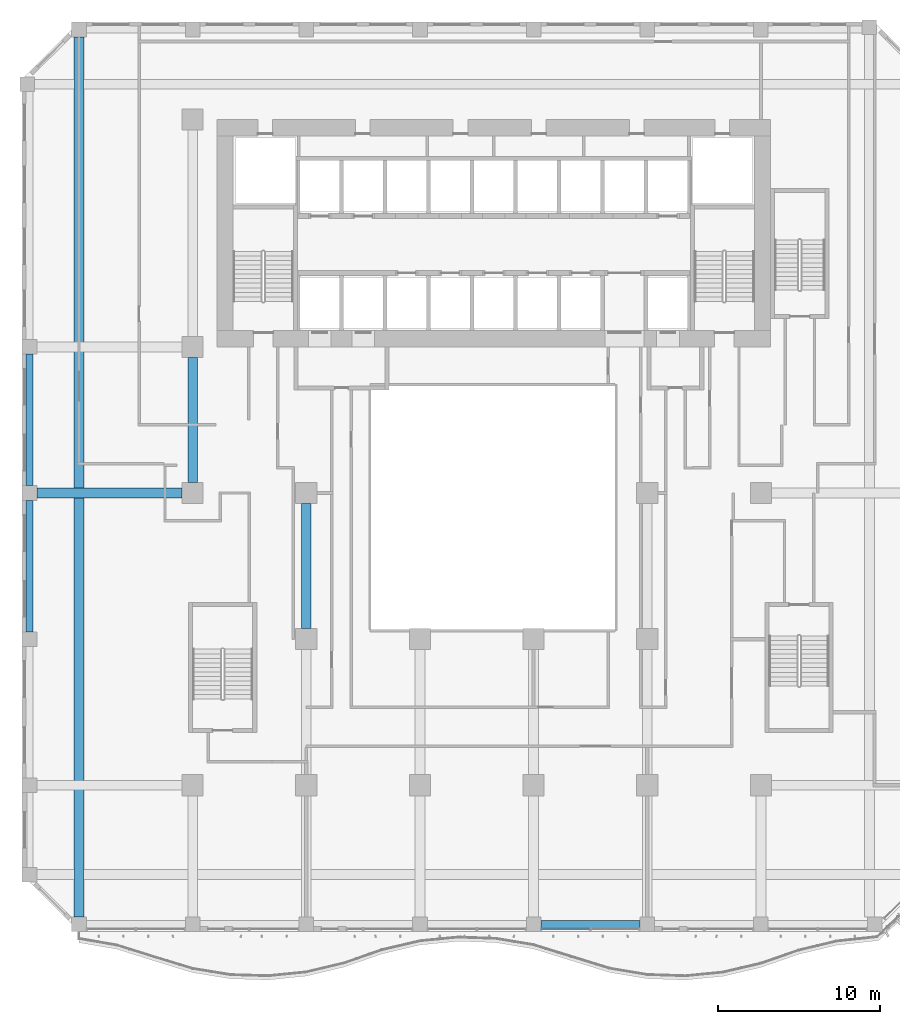
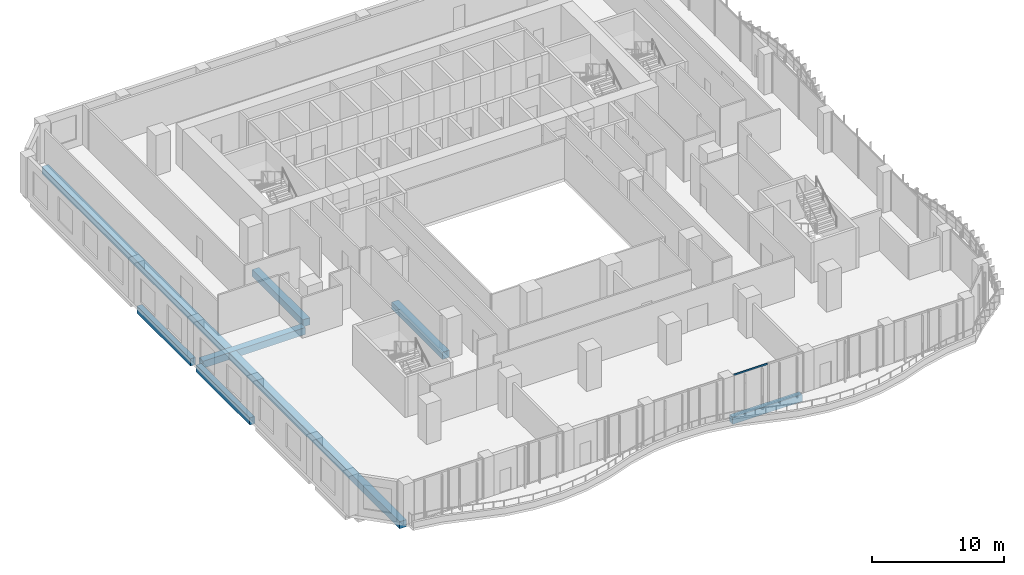
# One storey, part 5 of 27: 7 beams, 1 member, 1 element without a shape of its own.
"""IFC4 building model written with IfcOpenShell, lengths in metres."""

from ifc_helpers import new_model, si_unit, direction, frame, origin, origin_2d, place, context, subcontext, project, spatial, rectangle, extrude, source, transform, mapped, material, material_profile, profile_set, type_object, element, aggregate, save


model = new_model("IFC4")

# Units and contexts
model_context = context("Model", 3, precision=1e-05, world=origin(), true_north=direction((0.0, 1.0)))
body_context = subcontext(model_context, "Body", "Model", "MODEL_VIEW")
ifc_project = project(units=[si_unit("LENGTHUNIT", "METRE"), si_unit("AREAUNIT", "SQUARE_METRE"), si_unit("VOLUMEUNIT", "CUBIC_METRE"), si_unit("PLANEANGLEUNIT", "RADIAN"), si_unit("MASSUNIT", "GRAM", prefix="KILO")], contexts=[model_context])

# Site, building, storey
site_placement = place(None, origin())
site = spatial("IfcSite", under=ifc_project, at=site_placement, CompositionType="ELEMENT")
building_placement = place(site_placement, origin())
building = spatial("IfcBuilding", under=site, at=building_placement, Name="Kilnfold Tower and Market Hall", CompositionType="ELEMENT")
storey_placement = place(building_placement, frame((0.0, 0.0, 43.0)))
storey = spatial("IfcBuildingStorey", under=building, at=storey_placement, Name="L09", CompositionType="ELEMENT", Elevation=43.0)

# Beams
ifc_material_1 = material(Name="Concrete C45", Category="concrete")
ifc_material_profile_1 = material_profile(ifc_material_1, rectangle(XDim=0.449951171875, YDim=0.64990234375, at=origin_2d()), Name="RC 450x650")
ifc_profile_set_1 = profile_set([ifc_material_profile_1], Name="Concrete C45")
beam_type_1 = type_object("IfcBeamType", Name="EDGE BEAM 450X650 C45", PredefinedType="BEAM", material=ifc_profile_set_1)
shared_shape_1 = source(origin(), body_context, "Body", "SweptSolid", [
    extrude(rectangle(XDim=0.449951171875, YDim=0.64990234375, at=origin_2d()), origin(), (0.0, 0.0, 1.0), 6.10009765625),
])
beam_1_placement = place(storey_placement, frame((3.949951171875, -27.550048828125, -0.60498046875), z_axis=(1.0, 0.0, 0.0), x_axis=(0.0, 1.0, 0.0)))
element("IfcBeam", 1, at=beam_1_placement, inside=storey, type_object=beam_type_1, Name="Beam EB650-B1.4", PredefinedType="BEAM", context=body_context, shape_type="MappedRepresentation", body=[
    mapped(shared_shape_1, transform((0.0, 0.0, 0.0))),
])
ifc_material_2 = material(Name="Concrete C45", Category="concrete")
ifc_material_profile_2 = material_profile(ifc_material_2, rectangle(XDim=0.60009765625, YDim=0.64990234375, at=origin_2d()), Name="RC 600x650")
ifc_profile_set_2 = profile_set([ifc_material_profile_2], Name="Concrete C45")
beam_type_2 = type_object("IfcBeamType", Name="BEAM 600X650 C45", PredefinedType="BEAM", material=ifc_profile_set_2)
shared_shape_2 = source(origin(), body_context, "Body", "SweptSolid", [
    extrude(rectangle(XDim=0.60009765625, YDim=0.64990234375, at=origin_2d()), origin(), (0.0, 0.0, 1.0), 8.9501953125),
])
beam_2_placement = place(storey_placement, frame((-27.10009765625, -1.0, -0.60498046875), z_axis=(1.0, 0.0, 0.0), x_axis=(0.0, 1.0, 0.0)))
element("IfcBeam", 2, at=beam_2_placement, inside=storey, type_object=beam_type_2, Name="Beam BB650-B1.16", PredefinedType="BEAM", context=body_context, shape_type="MappedRepresentation", body=[
    mapped(shared_shape_2, transform((0.0, 0.0, 0.0))),
])
shared_shape_3 = source(origin(), body_context, "Body", "SweptSolid", [
    extrude(rectangle(XDim=0.449951171875, YDim=0.64990234375, at=origin_2d()), origin(), (0.0, 0.0, 1.0), 8.10009765625),
])
for number, where, z_axis, x_axis, name in (
    (3, (-27.550048828125, -9.550048828125, -0.60498046875), (0.0, 1.0, 0.0), (-1.0, 0.0, 0.0), "Beam EB650-B1.32"),
    (4, (-27.550048828125, -0.550048828125, -0.60498046875), (0.0, 1.0, 0.0), (-1.0, 0.0, 0.0), "Beam EB650-B1.33"),
):
    element("IfcBeam", number, at=place(storey_placement, frame(where, z_axis=z_axis, x_axis=x_axis)), inside=storey, type_object=beam_type_1, Name=name, PredefinedType="BEAM", context=body_context, shape_type="MappedRepresentation", body=[
        mapped(shared_shape_3, transform((0.0, 0.0, 0.0))),
    ])
shared_shape_4 = source(origin(), body_context, "Body", "SweptSolid", [
    extrude(rectangle(XDim=0.60009765625, YDim=0.64990234375, at=origin_2d()), origin(), (0.0, 0.0, 1.0), 54.2001953125),
])
beam_3_placement = place(storey_placement, frame((-24.5, -27.10009765625, -0.60498046875), z_axis=(0.0, 1.0, 0.0), x_axis=(-1.0, 0.0, 0.0)))
element("IfcBeam", 5, at=beam_3_placement, inside=storey, type_object=beam_type_2, Name="Beam BB650-B1.35", PredefinedType="BEAM", context=body_context, shape_type="MappedRepresentation", body=[
    mapped(shared_shape_4, transform((0.0, 0.0, 0.0))),
])
shared_shape_5 = source(origin(), body_context, "Body", "SweptSolid", [
    extrude(rectangle(XDim=0.60009765625, YDim=0.64990234375, at=origin_2d()), origin(), (0.0, 0.0, 1.0), 7.7001953125),
])
for number, where, z_axis, x_axis, name in (
    (6, (-17.5, -0.35009765625, -0.60498046875), (0.0, 1.0, 0.0), (-1.0, 0.0, 0.0), "Beam BB650-B1.37"),
    (7, (-10.5, -9.35009765625, -0.60498046875), (0.0, 1.0, 0.0), (-1.0, 0.0, 0.0), "Beam BB650-B1.42"),
):
    element("IfcBeam", number, at=place(storey_placement, frame(where, z_axis=z_axis, x_axis=x_axis)), inside=storey, type_object=beam_type_2, Name=name, PredefinedType="BEAM", context=body_context, shape_type="MappedRepresentation", body=[
        mapped(shared_shape_5, transform((0.0, 0.0, 0.0))),
    ])

# Curtain wall, member
ifc_material_3 = material(Name="Aluminium and double glazing", Category="aluminium")
curtain_wall_type = type_object("IfcCurtainWallType", Name="CW OF1 VALLEY GLAZING", PredefinedType="NOTDEFINED", material=ifc_material_3)
curtain_wall_placement = place(storey_placement, origin())
curtain_wall = element("IfcCurtainWall", 8, at=curtain_wall_placement, inside=storey, type_object=curtain_wall_type, Name="Curtain wall CW1 L09 S", PredefinedType="NOTDEFINED")
ifc_material_4 = material(Name="Aluminium", Category="aluminium")
ifc_material_profile_3 = material_profile(ifc_material_4, rectangle(XDim=0.06005859375, YDim=0.139892578125, at=origin_2d()), Name="TRANSOM 60x140")
ifc_profile_set_3 = profile_set([ifc_material_profile_3], Name="Aluminium")
member_type = type_object("IfcMemberType", Name="TRANSOM 60X140", PredefinedType="USERDEFINED", material=ifc_profile_set_3)
shared_shape_6 = source(origin(), body_context, "Body", "SweptSolid", [
    extrude(rectangle(XDim=0.06005859375, YDim=0.139892578125, at=origin_2d()), origin(), (0.0, 0.0, 1.0), 2.929931640625),
])
member_placement = place(storey_placement, frame((4.010009765625, -27.85009765625, 3.68994140625), z_axis=(1.0, 0.0, 0.0), x_axis=(0.0, 1.0, 0.0)))
member = element("IfcMember", 9, at=member_placement, type_object=member_type, Name="CW1 transom 1.2", ObjectType="TRANSOM", PredefinedType="USERDEFINED", context=body_context, shape_type="MappedRepresentation", body=[
    mapped(shared_shape_6, transform((0.0, 0.0, 0.0))),
])
aggregate(curtain_wall, [member])

save(model, "model.ifc")
